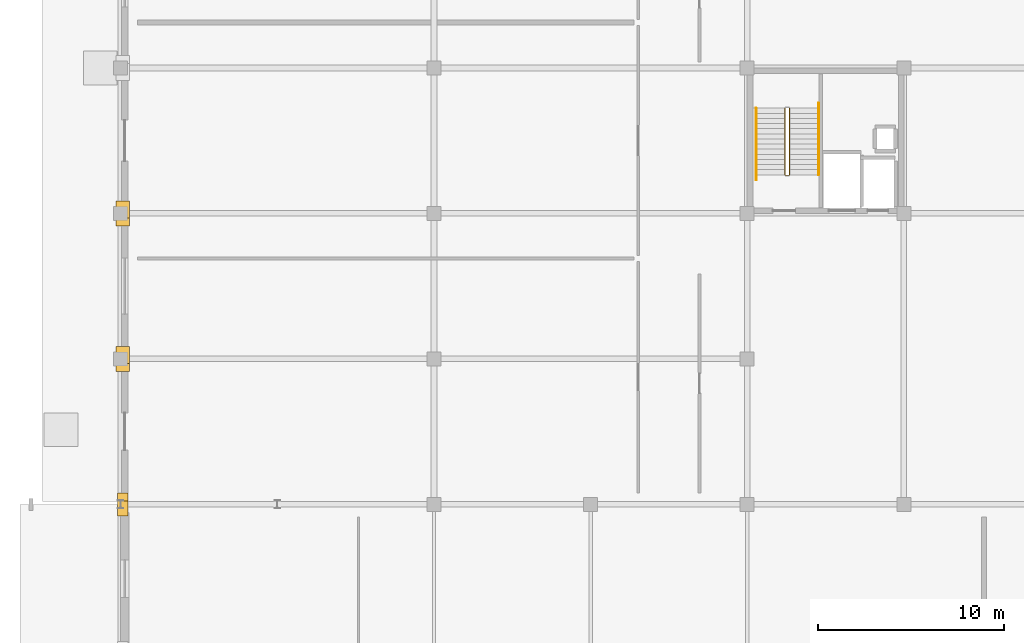
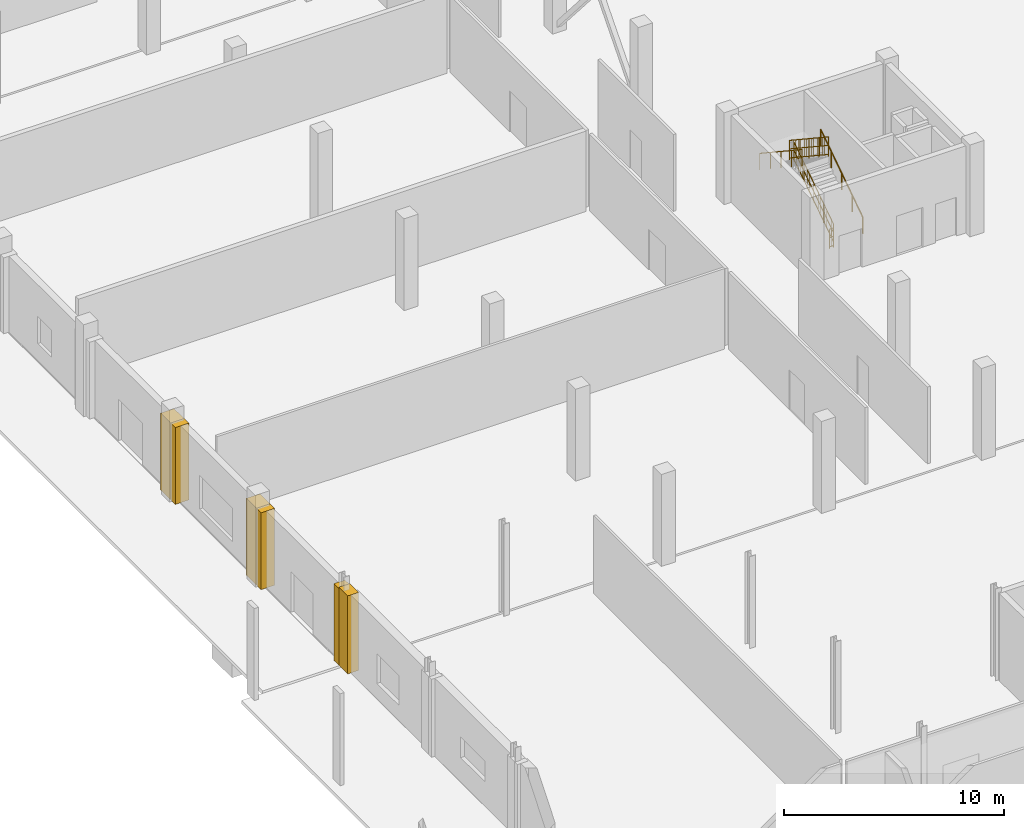
# One storey, part 69 of 80: 6 coverings, 5 railings.
"""IFC4 building model written with IfcOpenShell, lengths in metres."""

from ifc_helpers import new_model, si_unit, direction, frame, origin, origin_2d, place, context, subcontext, project, spatial, polyline, circle, outline, extrude, material, layer, layer_set, type_object, element, save


model = new_model("IFC4")

# Units and contexts
model_context = context("Model", 3, precision=1e-05, world=origin(), true_north=direction((0.0, 1.0)))
body_context = subcontext(model_context, "Body", "Model", "MODEL_VIEW")
ifc_project = project(units=[si_unit("LENGTHUNIT", "METRE"), si_unit("AREAUNIT", "SQUARE_METRE"), si_unit("VOLUMEUNIT", "CUBIC_METRE"), si_unit("PLANEANGLEUNIT", "RADIAN"), si_unit("MASSUNIT", "GRAM", prefix="KILO")], contexts=[model_context])

# Site, building, storey
site_placement = place(None, origin())
site = spatial("IfcSite", under=ifc_project, at=site_placement, CompositionType="ELEMENT")
building_placement = place(site_placement, origin())
building = spatial("IfcBuilding", under=site, at=building_placement, Name="Nabrawat Pavilion Hospital", CompositionType="ELEMENT")
storey_placement = place(building_placement, origin())
storey = spatial("IfcBuildingStorey", under=building, at=storey_placement, Name="L00", CompositionType="ELEMENT", Elevation=0.0)

# Coverings
ifc_material_1 = material(Name="Precast concrete C40/50", Category="concrete")
ifc_layer_1 = layer(ifc_material_1, 0.360107421875, Name="Precast concrete C40/50")
ifc_layer_set_1 = layer_set([ifc_layer_1], Name="Precast concrete C40/50")
covering_type = type_object("IfcCoveringType", Name="Architectural Precast Column-Jamb Closure Reveal", PredefinedType="CLADDING", material=ifc_layer_set_1)
covering_1_placement = place(storey_placement, origin())
element("IfcCovering", 1, at=covering_1_placement, inside=storey, type_object=covering_type, Name="L00 Precast Facade Column-Jamb Weatherseal Closure 0010", PredefinedType="CLADDING", context=body_context, shape_type="SweptSolid", body=[
    extrude(outline(polyline([(0.39990234375, 38.3798828125), (0.39990234375, 39.179931640625), (-0.179931640625, 39.179931640625), (-0.179931640625, 38.3798828125), (0.39990234375, 38.3798828125)])), origin(), (0.0, 0.0, 1.0), 4.330078125),
])
covering_2_placement = place(storey_placement, origin())
element("IfcCovering", 2, at=covering_2_placement, inside=storey, type_object=covering_type, Name="L00 Precast Facade Column-Jamb Weatherseal Closure 0025", PredefinedType="CLADDING", context=body_context, shape_type="SweptSolid", body=[
    extrude(outline(polyline([(0.39990234375, 38.820068359375), (0.39990234375, 39.6201171875), (-0.179931640625, 39.6201171875), (-0.179931640625, 38.820068359375), (0.39990234375, 38.820068359375)])), origin(), (0.0, 0.0, 1.0), 4.260009765625),
])
covering_3_placement = place(storey_placement, origin())
element("IfcCovering", 3, at=covering_3_placement, inside=storey, type_object=covering_type, Name="L00 Precast Facade Column-Jamb Weatherseal Closure 0026", PredefinedType="CLADDING", context=body_context, shape_type="SweptSolid", body=[
    extrude(outline(polyline([(0.463623046875, 46.13134765625), (0.463623046875, 47.043701171875), (-0.243896484375, 47.043701171875), (-0.243896484375, 46.13134765625), (0.463623046875, 46.13134765625)])), origin(), (0.0, 0.0, 1.0), 4.260009765625),
])
covering_4_placement = place(storey_placement, origin())
element("IfcCovering", 4, at=covering_4_placement, inside=storey, type_object=covering_type, Name="L00 Precast Facade Column-Jamb Weatherseal Closure 0027", PredefinedType="CLADDING", context=body_context, shape_type="SweptSolid", body=[
    extrude(outline(polyline([(0.463623046875, 46.55615234375), (0.463623046875, 47.46875), (-0.243896484375, 47.46875), (-0.243896484375, 46.55615234375), (0.463623046875, 46.55615234375)])), origin(), (0.0, 0.0, 1.0), 4.260009765625),
])
covering_5_placement = place(storey_placement, origin())
element("IfcCovering", 5, at=covering_5_placement, inside=storey, type_object=covering_type, Name="L00 Precast Facade Column-Jamb Weatherseal Closure 0028", PredefinedType="CLADDING", context=body_context, shape_type="SweptSolid", body=[
    extrude(outline(polyline([(0.463623046875, 53.93115234375), (0.463623046875, 54.84375), (-0.243896484375, 54.84375), (-0.243896484375, 53.93115234375), (0.463623046875, 53.93115234375)])), origin(), (0.0, 0.0, 1.0), 4.260009765625),
])
covering_6_placement = place(storey_placement, origin())
element("IfcCovering", 6, at=covering_6_placement, inside=storey, type_object=covering_type, Name="L00 Precast Facade Column-Jamb Weatherseal Closure 0029", PredefinedType="CLADDING", context=body_context, shape_type="SweptSolid", body=[
    extrude(outline(polyline([(0.463623046875, 54.356201171875), (0.463623046875, 55.268798828125), (-0.243896484375, 55.268798828125), (-0.243896484375, 54.356201171875), (0.463623046875, 54.356201171875)])), origin(), (0.0, 0.0, 1.0), 4.260009765625),
])

# Railings
ifc_material_2 = material(Name="Stainless Steel 316", Category="steel")
ifc_layer_2 = layer(ifc_material_2, 0.050048828125, Name="Stainless Steel 316")
ifc_layer_set_2 = layer_set([ifc_layer_2], Name="Stainless Steel 316")
railing_type_1 = type_object("IfcRailingType", Name="Stair Open-Well Safety Guardrail 1100", PredefinedType="GUARDRAIL", material=ifc_layer_set_2)
railing_1_placement = place(storey_placement, frame((35.875, 56.669921875, 0.18212890625)))
element("IfcRailing", 7, at=railing_1_placement, inside=storey, type_object=railing_type_1, Name="L00 ST-02 stair guard 1", PredefinedType="GUARDRAIL", context=body_context, shape_type="SweptSolid", body=[
    extrude(circle(Radius=0.02392578125, at=origin_2d()), frame((0.0, 0.0, 1.076171875), z_axis=(0.0, 0.833719449677, 0.5521882643), x_axis=(-1.0, 0.0, 0.0)), (0.0, 0.0, 1.0), 4.288330078125),
    extrude(circle(Radius=0.02392578125, at=origin_2d()), frame((0.0, 0.0, 0.10009765625), z_axis=(0.0, 0.833719449677, 0.5521882643), x_axis=(-1.0, 0.0, 0.0)), (0.0, 0.0, 1.0), 4.288330078125),
    extrude(circle(Radius=0.02392578125, at=origin_2d()), frame((0.0, 0.0, 0.60498046875), z_axis=(0.0, 0.833719449677, 0.5521882643), x_axis=(-1.0, 0.0, 0.0)), (0.0, 0.0, 1.0), 4.288330078125),
    extrude(circle(Radius=0.008056640625, at=origin_2d()), frame((0.0, 0.19873046875, 0.2314453125)), (0.0, 0.0, 1.0), 0.951904296875),
    extrude(circle(Radius=0.008056640625, at=origin_2d()), frame((0.0, 0.397216796875, 0.363037109375)), (0.0, 0.0, 1.0), 0.951904296875),
    extrude(circle(Radius=0.008056640625, at=origin_2d()), frame((0.0, 0.595947265625, 0.49462890625)), (0.0, 0.0, 1.0), 0.951904296875),
    extrude(circle(Radius=0.008056640625, at=origin_2d()), frame((0.0, 0.79443359375, 0.626220703125)), (0.0, 0.0, 1.0), 0.951904296875),
    extrude(circle(Radius=0.008056640625, at=origin_2d()), frame((0.0, 0.9931640625, 0.7578125)), (0.0, 0.0, 1.0), 0.951904296875),
    extrude(circle(Radius=0.008056640625, at=origin_2d()), frame((0.0, 1.191650390625, 0.889404296875)), (0.0, 0.0, 1.0), 0.951904296875),
    extrude(circle(Radius=0.008056640625, at=origin_2d()), frame((0.0, 1.390380859375, 1.020751953125)), (0.0, 0.0, 1.0), 0.951904296875),
    extrude(circle(Radius=0.008056640625, at=origin_2d()), frame((0.0, 1.5888671875, 1.15234375)), (0.0, 0.0, 1.0), 0.951904296875),
    extrude(circle(Radius=0.008056640625, at=origin_2d()), frame((0.0, 1.986328125, 1.41552734375)), (0.0, 0.0, 1.0), 0.951904296875),
    extrude(circle(Radius=0.008056640625, at=origin_2d()), frame((0.0, 2.184814453125, 1.547119140625)), (0.0, 0.0, 1.0), 0.951904296875),
    extrude(circle(Radius=0.008056640625, at=origin_2d()), frame((0.0, 2.383544921875, 1.6787109375)), (0.0, 0.0, 1.0), 0.951904296875),
    extrude(circle(Radius=0.008056640625, at=origin_2d()), frame((0.0, 2.58203125, 1.81005859375)), (0.0, 0.0, 1.0), 0.951904296875),
    extrude(circle(Radius=0.008056640625, at=origin_2d()), frame((0.0, 2.78076171875, 1.941650390625)), (0.0, 0.0, 1.0), 0.951904296875),
    extrude(circle(Radius=0.008056640625, at=origin_2d()), frame((0.0, 2.979248046875, 2.0732421875)), (0.0, 0.0, 1.0), 0.951904296875),
    extrude(circle(Radius=0.008056640625, at=origin_2d()), frame((0.0, 3.177978515625, 2.204833984375)), (0.0, 0.0, 1.0), 0.951904296875),
    extrude(circle(Radius=0.008056640625, at=origin_2d()), frame((0.0, 3.37646484375, 2.33642578125)), (0.0, 0.0, 1.0), 0.951904296875),
    extrude(circle(Radius=0.02099609375, at=origin_2d()), origin(), (0.0, 0.0, 1.0), 1.052001953125),
    extrude(circle(Radius=0.02099609375, at=origin_2d()), frame((0.0, 0.893798828125, 0.592041015625)), (0.0, 0.0, 1.0), 1.052001953125),
    extrude(circle(Radius=0.02099609375, at=origin_2d()), frame((0.0, 1.78759765625, 1.18408203125)), (0.0, 0.0, 1.0), 1.052001953125),
    extrude(circle(Radius=0.02099609375, at=origin_2d()), frame((0.0, 2.681396484375, 1.77587890625)), (0.0, 0.0, 1.0), 1.052001953125),
    extrude(circle(Radius=0.02099609375, at=origin_2d()), frame((0.0, 3.5751953125, 2.367919921875)), (0.0, 0.0, 1.0), 1.052001953125),
])
railing_2_placement = place(storey_placement, frame((35.625, 60.2451171875, 2.732177734375)))
element("IfcRailing", 8, at=railing_2_placement, inside=storey, type_object=railing_type_1, Name="L00 ST-02 stair guard 3", PredefinedType="GUARDRAIL", context=body_context, shape_type="SweptSolid", body=[
    extrude(circle(Radius=0.02392578125, at=origin_2d()), frame((0.0, 0.0, 1.076171875), z_axis=(0.0, -0.833719449677, 0.5521882643), x_axis=(1.0, 0.0, 0.0)), (0.0, 0.0, 1.0), 4.288330078125),
    extrude(circle(Radius=0.02392578125, at=origin_2d()), frame((0.0, 0.0, 0.10009765625), z_axis=(0.0, -0.833719449677, 0.5521882643), x_axis=(1.0, 0.0, 0.0)), (0.0, 0.0, 1.0), 4.288330078125),
    extrude(circle(Radius=0.02392578125, at=origin_2d()), frame((0.0, 0.0, 0.60498046875), z_axis=(0.0, -0.833719449677, 0.5521882643), x_axis=(1.0, 0.0, 0.0)), (0.0, 0.0, 1.0), 4.288330078125),
    extrude(circle(Radius=0.008056640625, at=origin_2d()), frame((0.0, -0.19873046875, 0.2314453125)), (0.0, 0.0, 1.0), 0.951904296875),
    extrude(circle(Radius=0.008056640625, at=origin_2d()), frame((0.0, -0.397216796875, 0.363037109375)), (0.0, 0.0, 1.0), 0.951904296875),
    extrude(circle(Radius=0.008056640625, at=origin_2d()), frame((0.0, -0.595947265625, 0.49462890625)), (0.0, 0.0, 1.0), 0.951904296875),
    extrude(circle(Radius=0.008056640625, at=origin_2d()), frame((0.0, -0.79443359375, 0.626220703125)), (0.0, 0.0, 1.0), 0.951904296875),
    extrude(circle(Radius=0.008056640625, at=origin_2d()), frame((0.0, -0.9931640625, 0.7578125)), (0.0, 0.0, 1.0), 0.951904296875),
    extrude(circle(Radius=0.008056640625, at=origin_2d()), frame((0.0, -1.191650390625, 0.889404296875)), (0.0, 0.0, 1.0), 0.951904296875),
    extrude(circle(Radius=0.008056640625, at=origin_2d()), frame((0.0, -1.390380859375, 1.020751953125)), (0.0, 0.0, 1.0), 0.951904296875),
    extrude(circle(Radius=0.008056640625, at=origin_2d()), frame((0.0, -1.5888671875, 1.15234375)), (0.0, 0.0, 1.0), 0.951904296875),
    extrude(circle(Radius=0.008056640625, at=origin_2d()), frame((0.0, -1.986328125, 1.41552734375)), (0.0, 0.0, 1.0), 0.951904296875),
    extrude(circle(Radius=0.008056640625, at=origin_2d()), frame((0.0, -2.184814453125, 1.547119140625)), (0.0, 0.0, 1.0), 0.951904296875),
    extrude(circle(Radius=0.008056640625, at=origin_2d()), frame((0.0, -2.383544921875, 1.6787109375)), (0.0, 0.0, 1.0), 0.951904296875),
    extrude(circle(Radius=0.008056640625, at=origin_2d()), frame((0.0, -2.58203125, 1.81005859375)), (0.0, 0.0, 1.0), 0.951904296875),
    extrude(circle(Radius=0.008056640625, at=origin_2d()), frame((0.0, -2.78076171875, 1.941650390625)), (0.0, 0.0, 1.0), 0.951904296875),
    extrude(circle(Radius=0.008056640625, at=origin_2d()), frame((0.0, -2.979248046875, 2.0732421875)), (0.0, 0.0, 1.0), 0.951904296875),
    extrude(circle(Radius=0.008056640625, at=origin_2d()), frame((0.0, -3.177978515625, 2.204833984375)), (0.0, 0.0, 1.0), 0.951904296875),
    extrude(circle(Radius=0.008056640625, at=origin_2d()), frame((0.0, -3.37646484375, 2.33642578125)), (0.0, 0.0, 1.0), 0.951904296875),
    extrude(circle(Radius=0.02099609375, at=origin_2d()), origin(), (0.0, 0.0, 1.0), 1.052001953125),
    extrude(circle(Radius=0.02099609375, at=origin_2d()), frame((0.0, -0.893798828125, 0.592041015625)), (0.0, 0.0, 1.0), 1.052001953125),
    extrude(circle(Radius=0.02099609375, at=origin_2d()), frame((0.0, -1.78759765625, 1.18408203125)), (0.0, 0.0, 1.0), 1.052001953125),
    extrude(circle(Radius=0.02099609375, at=origin_2d()), frame((0.0, -2.681396484375, 1.77587890625)), (0.0, 0.0, 1.0), 1.052001953125),
    extrude(circle(Radius=0.02099609375, at=origin_2d()), frame((0.0, -3.5751953125, 2.367919921875)), (0.0, 0.0, 1.0), 1.052001953125),
])
railing_3_placement = place(storey_placement, frame((35.85009765625, 56.6201171875, 0.0)))
element("IfcRailing", 9, at=railing_3_placement, inside=storey, type_object=railing_type_1, Name="L00 ST-02 stair guard 4", PredefinedType="GUARDRAIL", context=body_context, shape_type="SweptSolid", body=[
    extrude(circle(Radius=0.02392578125, at=origin_2d()), frame((0.0, 0.0, 1.076171875), z_axis=(-1.0, 0.0, 0.0), x_axis=(0.0, -1.0, 0.0)), (0.0, 0.0, 1.0), 0.2001953125),
    extrude(circle(Radius=0.02392578125, at=origin_2d()), frame((0.0, 0.0, 0.10009765625), z_axis=(-1.0, 0.0, 0.0), x_axis=(0.0, -1.0, 0.0)), (0.0, 0.0, 1.0), 0.2001953125),
    extrude(circle(Radius=0.02392578125, at=origin_2d()), frame((0.0, 0.0, 0.60498046875), z_axis=(-1.0, 0.0, 0.0), x_axis=(0.0, -1.0, 0.0)), (0.0, 0.0, 1.0), 0.2001953125),
    extrude(circle(Radius=0.008056640625, at=origin_2d()), frame((-0.10009765625, 0.0, 0.10009765625)), (0.0, 0.0, 1.0), 0.951904296875),
    extrude(circle(Radius=0.02099609375, at=origin_2d()), origin(), (0.0, 0.0, 1.0), 1.052001953125),
    extrude(circle(Radius=0.02099609375, at=origin_2d()), frame((-0.2001953125, 0.0, 0.0)), (0.0, 0.0, 1.0), 1.052001953125),
])
ifc_layer_3 = layer(ifc_material_2, 0.044921875, Name="Stainless Steel 316")
ifc_layer_set_3 = layer_set([ifc_layer_3], Name="Stainless Steel 316")
railing_type_2 = type_object("IfcRailingType", Name="Stair Pitch Continuous Handrail 920", PredefinedType="HANDRAIL", material=ifc_layer_set_3)
railing_4_placement = place(storey_placement, frame((37.425048828125, 56.669921875, 0.18603515625)))
element("IfcRailing", 10, at=railing_4_placement, inside=storey, type_object=railing_type_2, Name="L00 ST-02 stair handrail 1", PredefinedType="HANDRAIL", context=body_context, shape_type="SweptSolid", body=[
    extrude(circle(Radius=0.02392578125, at=origin_2d()), frame((0.0, 0.0, 0.89599609375), z_axis=(0.0, 0.833713881912, 0.552196670677), x_axis=(-1.0, 0.0, 0.0)), (0.0, 0.0, 1.0), 4.617919921875),
    extrude(circle(Radius=0.02099609375, at=origin_2d()), origin(), (0.0, 0.0, 1.0), 0.871826171875),
    extrude(circle(Radius=0.02099609375, at=origin_2d()), frame((0.0, 0.96240234375, 0.637451171875)), (0.0, 0.0, 1.0), 0.871826171875),
    extrude(circle(Radius=0.02099609375, at=origin_2d()), frame((0.0, 1.925048828125, 1.27490234375)), (0.0, 0.0, 1.0), 0.871826171875),
    extrude(circle(Radius=0.02099609375, at=origin_2d()), frame((0.0, 2.8876953125, 1.91259765625)), (0.0, 0.0, 1.0), 0.871826171875),
    extrude(circle(Radius=0.02099609375, at=origin_2d()), frame((0.0, 3.85009765625, 2.550048828125)), (0.0, 0.0, 1.0), 0.871826171875),
])
railing_5_placement = place(storey_placement, frame((34.074951171875, 60.2451171875, 2.736083984375)))
element("IfcRailing", 11, at=railing_5_placement, inside=storey, type_object=railing_type_2, Name="L00 ST-02 stair handrail 2", PredefinedType="HANDRAIL", context=body_context, shape_type="SweptSolid", body=[
    extrude(circle(Radius=0.02392578125, at=origin_2d()), frame((0.0, 0.0, 0.89599609375), z_axis=(0.0, -0.833713881912, 0.552196670677), x_axis=(1.0, 0.0, 0.0)), (0.0, 0.0, 1.0), 4.617919921875),
    extrude(circle(Radius=0.02099609375, at=origin_2d()), origin(), (0.0, 0.0, 1.0), 0.871826171875),
    extrude(circle(Radius=0.02099609375, at=origin_2d()), frame((0.0, -0.96240234375, 0.637451171875)), (0.0, 0.0, 1.0), 0.871826171875),
    extrude(circle(Radius=0.02099609375, at=origin_2d()), frame((0.0, -1.925048828125, 1.27490234375)), (0.0, 0.0, 1.0), 0.871826171875),
    extrude(circle(Radius=0.02099609375, at=origin_2d()), frame((0.0, -2.8876953125, 1.91259765625)), (0.0, 0.0, 1.0), 0.871826171875),
    extrude(circle(Radius=0.02099609375, at=origin_2d()), frame((0.0, -3.85009765625, 2.550048828125)), (0.0, 0.0, 1.0), 0.871826171875),
])

save(model, "model.ifc")
